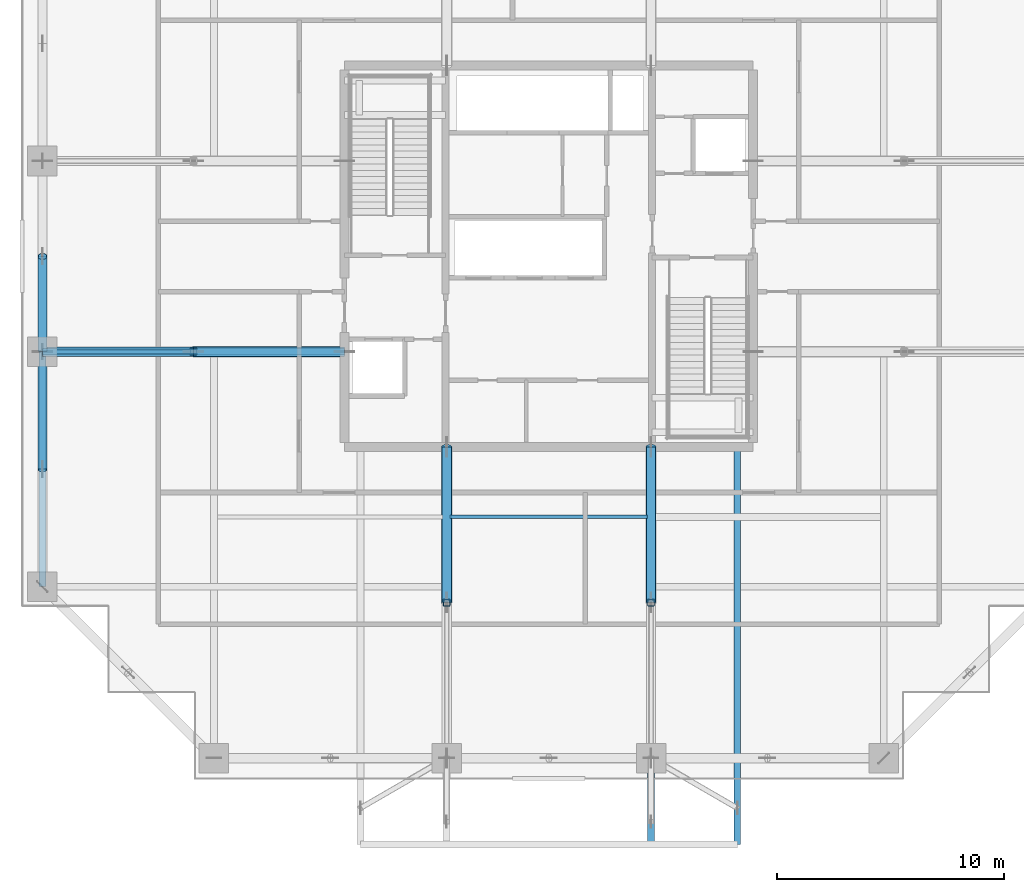
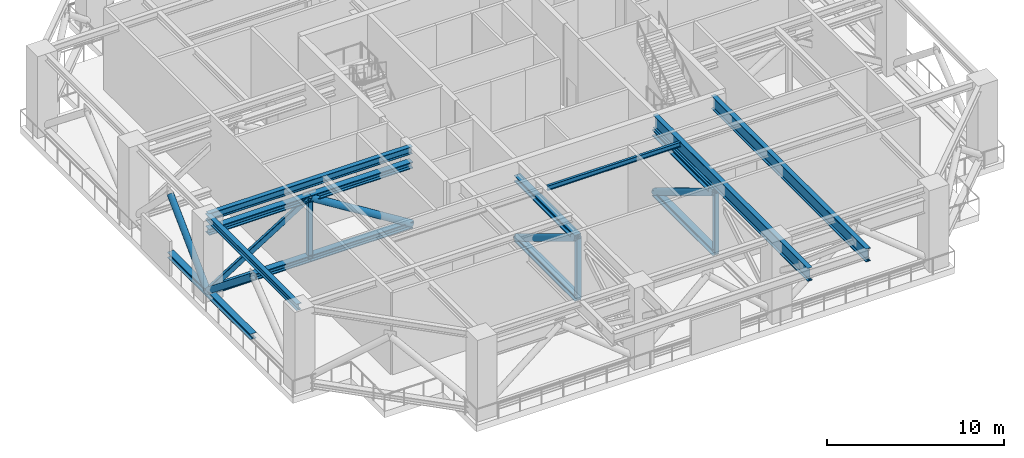
# One storey, part 2 of 22: 19 members, 5 beams.
"""IFC4 building model written with IfcOpenShell, lengths in metres."""

from ifc_helpers import new_model, si_unit, direction, frame, origin, origin_2d, place, context, subcontext, project, spatial, hollow_rectangle, hollow_circle, i_section, extrude, source, transform, mapped, material, material_profile, profile_set, type_object, element, save


model = new_model("IFC4")

# Units and contexts
model_context = context("Model", 3, precision=1e-05, world=origin(), true_north=direction((0.0, 1.0)))
body_context = subcontext(model_context, "Body", "Model", "MODEL_VIEW")
ifc_project = project(units=[si_unit("LENGTHUNIT", "METRE"), si_unit("AREAUNIT", "SQUARE_METRE"), si_unit("VOLUMEUNIT", "CUBIC_METRE"), si_unit("PLANEANGLEUNIT", "RADIAN"), si_unit("MASSUNIT", "GRAM", prefix="KILO")], contexts=[model_context])

# Site, building, storey
site_placement = place(None, origin())
site = spatial("IfcSite", under=ifc_project, at=site_placement, CompositionType="ELEMENT")
building_placement = place(site_placement, origin())
building = spatial("IfcBuilding", under=site, at=building_placement, Name="Serunith Strait Residences", CompositionType="ELEMENT")
storey_placement = place(building_placement, frame((0.0, 0.0, 198.89990234375)))
storey = spatial("IfcBuildingStorey", under=building, at=storey_placement, Name="L50", CompositionType="ELEMENT", Elevation=198.89990234375)

# Beams
ifc_material_1 = material(Name="Steel S355J2", Category="steel")
ifc_material_profile_1 = material_profile(ifc_material_1, i_section(OverallWidth=0.159912109375, OverallDepth=0.330078125, WebThickness=0.007568359375, FlangeThickness=0.011474609375, FilletRadius=0.01806640625, at=origin_2d()), Name="IPE 330")
ifc_profile_set_1 = profile_set([ifc_material_profile_1], Name="Steel S355J2")
beam_type_1 = type_object("IfcBeamType", Name="BM-IPE330", PredefinedType="JOIST", material=ifc_profile_set_1)
shared_shape_1 = source(origin(), body_context, "Body", "SweptSolid", [
    extrude(i_section(OverallWidth=0.159912109375, OverallDepth=0.330078125, WebThickness=0.007568359375, FlangeThickness=0.011474609375, FilletRadius=0.01806640625, at=origin_2d()), origin(), (0.0, 0.0, 1.0), 8.699951171875),
])
beam_1_placement = place(storey_placement, frame((28.050048828125, 13.72509765625, 5.47216796875), z_axis=(1.0, 0.0, 0.0), x_axis=(0.0, 1.0, 0.0)))
element("IfcBeam", 1, at=beam_1_placement, inside=storey, type_object=beam_type_1, Name="L50 Composite Floor Joist 02", PredefinedType="JOIST", context=body_context, shape_type="MappedRepresentation", body=[
    mapped(shared_shape_1, transform((0.0, 0.0, 0.0), scale=1.0)),
])
ifc_material_profile_2 = material_profile(ifc_material_1, i_section(OverallWidth=0.300048828125, OverallDepth=0.5, WebThickness=0.014404296875, FlangeThickness=0.028076171875, FilletRadius=0.027099609375, at=origin_2d()), Name="HEB 500")
ifc_profile_set_2 = profile_set([ifc_material_profile_2], Name="Steel S355J2")
beam_type_2 = type_object("IfcBeamType", Name="BM-HEB500", PredefinedType="BEAM", material=ifc_profile_set_2)
shared_shape_2 = source(origin(), body_context, "Body", "SweptSolid", [
    extrude(i_section(OverallWidth=0.300048828125, OverallDepth=0.5, WebThickness=0.014404296875, FlangeThickness=0.028076171875, FilletRadius=0.027099609375, at=origin_2d()), origin(), (0.0, 0.0, 1.0), 13.2998046875),
])
beam_2_placement = place(storey_placement, frame((23.39990234375, 21.0, 5.38720703125), z_axis=(-1.0, 0.0, 0.0), x_axis=(0.0, -1.0, 0.0)))
element("IfcBeam", 2, at=beam_2_placement, inside=storey, type_object=beam_type_2, Name="L50 Primary Floor Girder TC-W2", PredefinedType="BEAM", context=body_context, shape_type="MappedRepresentation", body=[
    mapped(shared_shape_2, transform((0.0, 0.0, 0.0), scale=1.0)),
])
ifc_material_profile_3 = material_profile(ifc_material_1, i_section(OverallWidth=0.300048828125, OverallDepth=0.449951171875, WebThickness=0.013916015625, FlangeThickness=0.02587890625, FilletRadius=0.027099609375, at=origin_2d()), Name="HEB 450")
ifc_profile_set_3 = profile_set([ifc_material_profile_3], Name="Steel S355J2")
beam_type_3 = type_object("IfcBeamType", Name="BM-HEB450", PredefinedType="BEAM", material=ifc_profile_set_3)
shared_shape_3 = source(origin(), body_context, "Body", "SweptSolid", [
    extrude(i_section(OverallWidth=0.300048828125, OverallDepth=0.449951171875, WebThickness=0.013916015625, FlangeThickness=0.02587890625, FilletRadius=0.027099609375, at=origin_2d()), origin(), (0.0, 0.0, 1.0), 10.35009765625),
])
beam_3_placement = place(storey_placement, frame((10.10009765625, 21.0, 5.412109375), z_axis=(0.0, -1.0, 0.0), x_axis=(1.0, 0.0, 0.0)))
element("IfcBeam", 3, at=beam_3_placement, inside=storey, type_object=beam_type_3, Name="L50 Perimeter Ring Beam 15", PredefinedType="BEAM", context=body_context, shape_type="MappedRepresentation", body=[
    mapped(shared_shape_3, transform((0.0, 0.0, 0.0), scale=1.0)),
])

# Members
ifc_material_2 = material(Name="Steel S460M", Category="steel")
ifc_material_profile_4 = material_profile(ifc_material_2, i_section(OverallWidth=0.412109375, OverallDepth=0.43505859375, WebThickness=0.035888671875, FlangeThickness=0.057373046875, FilletRadius=0.014892578125, at=origin_2d()), Name="HD 400x463")
ifc_profile_set_4 = profile_set([ifc_material_profile_4], Name="Steel S460M")
member_type_1 = type_object("IfcMemberType", Name="MBR-CHORD-HD463", PredefinedType="CHORD", material=ifc_profile_set_4)
shared_shape_4 = source(origin(), body_context, "Body", "SweptSolid", [
    extrude(i_section(OverallWidth=0.412109375, OverallDepth=0.43505859375, WebThickness=0.035888671875, FlangeThickness=0.057373046875, FilletRadius=0.014892578125, at=origin_2d()), origin(), (0.0, 0.0, 1.0), 6.85009765625),
])
for number, where, z_axis, x_axis, name in (
    (4, (27.89990234375, 16.800048828125, 0.25), (0.0, -1.0, 0.0), (1.0, 0.0, 0.0), "L50 Outrigger Arm 1 Bottom Chord 1"),
    (5, (27.89990234375, 16.800048828125, 4.39013671875), (0.0, -1.0, 0.0), (1.0, 0.0, 0.0), "L50 Outrigger Arm 1 Top Chord 1"),
    (6, (36.89990234375, 16.800048828125, 0.25), (0.0, -1.0, 0.0), (1.0, 0.0, 0.0), "L50 Outrigger Arm 2 Bottom Chord 1"),
    (7, (36.89990234375, 16.800048828125, 4.39013671875), (0.0, -1.0, 0.0), (1.0, 0.0, 0.0), "L50 Outrigger Arm 2 Top Chord 1"),
):
    element("IfcMember", number, at=place(storey_placement, frame(where, z_axis=z_axis, x_axis=x_axis)), inside=storey, type_object=member_type_1, Name=name, PredefinedType="CHORD", context=body_context, shape_type="MappedRepresentation", body=[
        mapped(shared_shape_4, transform((0.0, 0.0, 0.0), scale=1.0)),
    ])
ifc_material_profile_5 = material_profile(ifc_material_2, hollow_rectangle(XDim=0.300048828125, YDim=0.300048828125, WallThickness=0.012451171875, InnerFilletRadius=0.018798828125, OuterFilletRadius=0.03125, at=origin_2d()), Name="SHS 300x300x12.5")
ifc_profile_set_5 = profile_set([ifc_material_profile_5], Name="Steel S460M")
member_type_2 = type_object("IfcMemberType", Name="MBR-STRUT-SHS300", PredefinedType="STRUT", material=ifc_profile_set_5)
shared_shape_5 = source(origin(), body_context, "Body", "SweptSolid", [
    extrude(hollow_rectangle(XDim=0.300048828125, YDim=0.300048828125, WallThickness=0.012451171875, InnerFilletRadius=0.018798828125, OuterFilletRadius=0.03125, at=origin_2d()), origin(), (0.0, 0.0, 1.0), 4.14013671875),
])
for number, where, z_axis, x_axis, name in (
    (8, (27.89990234375, 9.949951171875, 0.25), (0.0, 0.0, 1.0), (1.0, 0.0, 0.0), "L50 Outrigger Arm 1 Mid Post"),
    (9, (36.89990234375, 9.949951171875, 0.25), (0.0, 0.0, 1.0), (1.0, 0.0, 0.0), "L50 Outrigger Arm 2 Mid Post"),
    (10, (16.75, 21.0, 0.25), (0.0, 0.0, 1.0), (1.0, 0.0, 0.0), "L50 Outrigger Arm 7 Mid Post"),
):
    element("IfcMember", number, at=place(storey_placement, frame(where, z_axis=z_axis, x_axis=x_axis)), inside=storey, type_object=member_type_2, Name=name, PredefinedType="STRUT", context=body_context, shape_type="MappedRepresentation", body=[
        mapped(shared_shape_5, transform((0.0, 0.0, 0.0), scale=1.0)),
    ])
ifc_material_profile_6 = material_profile(ifc_material_2, hollow_circle(Radius=0.228515625, WallThickness=0.01611328125, at=origin_2d()), Name="CHS 457x16")
ifc_profile_set_6 = profile_set([ifc_material_profile_6], Name="Steel S460M")
member_type_3 = type_object("IfcMemberType", Name="MBR-DIAG-CHS457", PredefinedType="BRACE", material=ifc_profile_set_6)
shared_shape_6 = source(origin(), body_context, "Body", "SweptSolid", [
    extrude(hollow_circle(Radius=0.228515625, WallThickness=0.01611328125, at=origin_2d()), origin(), (0.0, 0.0, 1.0), 8.004150390625),
])
for number, where, z_axis, x_axis, name in (
    (11, (27.89990234375, 16.800048828125, 0.25), (0.0, -0.855830589787, 0.517256224307), (1.0, 0.0, 0.0), "L50 Outrigger Arm 1 Inner Diagonal"),
    (12, (36.89990234375, 16.800048828125, 0.25), (0.0, -0.855830589787, 0.517256224307), (1.0, 0.0, 0.0), "L50 Outrigger Arm 2 Inner Diagonal"),
):
    element("IfcMember", number, at=place(storey_placement, frame(where, z_axis=z_axis, x_axis=x_axis)), inside=storey, type_object=member_type_3, Name=name, PredefinedType="BRACE", context=body_context, shape_type="MappedRepresentation", body=[
        mapped(shared_shape_6, transform((0.0, 0.0, 0.0), scale=1.0)),
    ])
shared_shape_7 = source(origin(), body_context, "Body", "SweptSolid", [
    extrude(i_section(OverallWidth=0.412109375, OverallDepth=0.43505859375, WebThickness=0.035888671875, FlangeThickness=0.057373046875, FilletRadius=0.014892578125, at=origin_2d()), origin(), (0.0, 0.0, 1.0), 6.64990234375),
])
for number, where, z_axis, x_axis, name in (
    (13, (23.39990234375, 21.0, 0.25), (-1.0, 0.0, 0.0), (0.0, -1.0, 0.0), "L50 Outrigger Arm 7 Bottom Chord 1"),
    (14, (23.39990234375, 21.0, 4.39013671875), (-1.0, 0.0, 0.0), (0.0, -1.0, 0.0), "L50 Outrigger Arm 7 Top Chord 1"),
    (15, (16.75, 21.0, 0.25), (-1.0, 0.0, 0.0), (0.0, -1.0, 0.0), "L50 Outrigger Arm 7 Bottom Chord 2"),
    (16, (16.75, 21.0, 4.39013671875), (-1.0, 0.0, 0.0), (0.0, -1.0, 0.0), "L50 Outrigger Arm 7 Top Chord 2"),
):
    element("IfcMember", number, at=place(storey_placement, frame(where, z_axis=z_axis, x_axis=x_axis)), inside=storey, type_object=member_type_1, Name=name, PredefinedType="CHORD", context=body_context, shape_type="MappedRepresentation", body=[
        mapped(shared_shape_7, transform((0.0, 0.0, 0.0), scale=1.0)),
    ])
shared_shape_8 = source(origin(), body_context, "Body", "SweptSolid", [
    extrude(hollow_circle(Radius=0.228515625, WallThickness=0.01611328125, at=origin_2d()), origin(), (0.0, 0.0, 1.0), 7.83349609375),
])
member_1_placement = place(storey_placement, frame((23.39990234375, 21.0, 0.25), z_axis=(-0.848918016547, 0.0, 0.528524551164), x_axis=(0.0, -1.0, 0.0)))
element("IfcMember", 17, at=member_1_placement, inside=storey, type_object=member_type_3, Name="L50 Outrigger Arm 7 Inner Diagonal", PredefinedType="BRACE", context=body_context, shape_type="MappedRepresentation", body=[
    mapped(shared_shape_8, transform((0.0, 0.0, 0.0), scale=1.0)),
])
ifc_material_profile_7 = material_profile(ifc_material_2, hollow_rectangle(XDim=0.199951171875, YDim=0.39990234375, WallThickness=0.01611328125, InnerFilletRadius=0.02392578125, OuterFilletRadius=0.0400390625, at=origin_2d()), Name="RHS 400x200x16")
ifc_profile_set_7 = profile_set([ifc_material_profile_7], Name="Steel S460M")
member_type_4 = type_object("IfcMemberType", Name="MBR-BRACE-RHS400", PredefinedType="BRACE", material=ifc_profile_set_7)
shared_shape_9 = source(origin(), body_context, "Body", "SweptSolid", [
    extrude(hollow_rectangle(XDim=0.199951171875, YDim=0.39990234375, WallThickness=0.01611328125, InnerFilletRadius=0.02392578125, OuterFilletRadius=0.0400390625, at=origin_2d()), origin(), (0.0, 0.0, 1.0), 7.83349609375),
])
member_2_placement = place(storey_placement, frame((16.75, 21.0, 4.39013671875), z_axis=(-0.848918016547, 0.0, -0.528524551164), x_axis=(0.0, -1.0, 0.0)))
element("IfcMember", 18, at=member_2_placement, inside=storey, type_object=member_type_4, Name="L50 Outrigger Arm 7 Outer Diagonal", PredefinedType="BRACE", context=body_context, shape_type="MappedRepresentation", body=[
    mapped(shared_shape_9, transform((0.0, 0.0, 0.0), scale=1.0)),
])
ifc_material_profile_8 = material_profile(ifc_material_2, i_section(OverallWidth=0.40087890625, OverallDepth=0.39892578125, WebThickness=0.02490234375, FlangeThickness=0.03955078125, FilletRadius=0.014892578125, at=origin_2d()), Name="HD 400x314")
ifc_profile_set_8 = profile_set([ifc_material_profile_8], Name="Steel S460M")
member_type_5 = type_object("IfcMemberType", Name="MBR-CHORD-HD314", PredefinedType="CHORD", material=ifc_profile_set_8)
shared_shape_10 = source(origin(), body_context, "Body", "SweptSolid", [
    extrude(i_section(OverallWidth=0.40087890625, OverallDepth=0.39892578125, WebThickness=0.02490234375, FlangeThickness=0.03955078125, FilletRadius=0.014892578125, at=origin_2d()), origin(), (0.0, 0.0, 1.0), 5.175048828125),
])
member_3_placement = place(storey_placement, frame((10.10009765625, 21.0, 0.25), z_axis=(0.0, -1.0, 0.0), x_axis=(1.0, 0.0, 0.0)))
element("IfcMember", 19, at=member_3_placement, inside=storey, type_object=member_type_5, Name="L50 Belt Truss Bay 15 Chord A", PredefinedType="CHORD", context=body_context, shape_type="MappedRepresentation", body=[
    mapped(shared_shape_10, transform((0.0, 0.0, 0.0), scale=1.0)),
])
ifc_material_profile_9 = material_profile(ifc_material_2, hollow_circle(Radius=0.203125, WallThickness=0.01611328125, at=origin_2d()), Name="CHS 406.4x16")
ifc_profile_set_9 = profile_set([ifc_material_profile_9], Name="Steel S460M")
member_type_6 = type_object("IfcMemberType", Name="MBR-DIAG-CHS406", PredefinedType="BRACE", material=ifc_profile_set_9)
shared_shape_11 = source(origin(), body_context, "Body", "SweptSolid", [
    extrude(hollow_circle(Radius=0.203125, WallThickness=0.01611328125, at=origin_2d()), origin(), (0.0, 0.0, 1.0), 6.62744140625),
])
member_4_placement = place(storey_placement, frame((10.10009765625, 21.0, 0.25), z_axis=(0.0, -0.780861621429, 0.624704032466), x_axis=(1.0, 0.0, 0.0)))
element("IfcMember", 20, at=member_4_placement, inside=storey, type_object=member_type_6, Name="L50 Belt Truss Bay 15 Diagonal 1", PredefinedType="BRACE", context=body_context, shape_type="MappedRepresentation", body=[
    mapped(shared_shape_11, transform((0.0, 0.0, 0.0), scale=1.0)),
])
shared_shape_12 = source(origin(), body_context, "Body", "SweptSolid", [
    extrude(i_section(OverallWidth=0.40087890625, OverallDepth=0.39892578125, WebThickness=0.02490234375, FlangeThickness=0.03955078125, FilletRadius=0.014892578125, at=origin_2d()), origin(), (0.0, 0.0, 1.0), 4.199951171875),
])
member_5_placement = place(storey_placement, frame((10.10009765625, 25.199951171875, 0.25), z_axis=(0.0, -1.0, 0.0), x_axis=(1.0, 0.0, 0.0)))
element("IfcMember", 21, at=member_5_placement, inside=storey, type_object=member_type_5, Name="L50 Belt Truss Bay 14 Chord B", PredefinedType="CHORD", context=body_context, shape_type="MappedRepresentation", body=[
    mapped(shared_shape_12, transform((0.0, 0.0, 0.0), scale=1.0)),
])
shared_shape_13 = source(origin(), body_context, "Body", "SweptSolid", [
    extrude(hollow_circle(Radius=0.203125, WallThickness=0.01611328125, at=origin_2d()), origin(), (0.0, 0.0, 1.0), 5.8974609375),
])
member_6_placement = place(storey_placement, frame((10.10009765625, 21.0, 0.25), z_axis=(0.0, 0.712159780048, 0.702017412663), x_axis=(-1.0, 0.0, 0.0)))
element("IfcMember", 22, at=member_6_placement, inside=storey, type_object=member_type_6, Name="L50 Belt Truss Bay 14 Diagonal 2", PredefinedType="BRACE", context=body_context, shape_type="MappedRepresentation", body=[
    mapped(shared_shape_13, transform((0.0, 0.0, 0.0), scale=1.0)),
])

# Beams
ifc_material_profile_10 = material_profile(ifc_material_2, i_section(OverallWidth=0.302001953125, OverallDepth=0.909912109375, WebThickness=0.02099609375, FlangeThickness=0.0400390625, FilletRadius=0.027099609375, at=origin_2d()), Name="HEM 900")
ifc_profile_set_10 = profile_set([ifc_material_profile_10], Name="Steel S460M")
beam_type_4 = type_object("IfcBeamType", Name="BM-HEM900", PredefinedType="BEAM", material=ifc_profile_set_10)
shared_shape_14 = source(origin(), body_context, "Body", "SweptSolid", [
    extrude(i_section(OverallWidth=0.302001953125, OverallDepth=0.909912109375, WebThickness=0.02099609375, FlangeThickness=0.0400390625, FilletRadius=0.027099609375, at=origin_2d()), origin(), (0.0, 0.0, 1.0), 17.5),
])
for number, where, z_axis, x_axis, name in (
    (23, (36.89990234375, 16.800048828125, 5.162109375), (0.0, -1.0, 0.0), (1.0, 0.0, 0.0), "Sky Pool Truss 2 Overhanging Cantilever Girder"),
    (24, (40.699951171875, 16.800048828125, 5.162109375), (0.0, -1.0, 0.0), (1.0, 0.0, 0.0), "Sky Pool Truss 4 Overhanging Cantilever Girder"),
):
    element("IfcBeam", number, at=place(storey_placement, frame(where, z_axis=z_axis, x_axis=x_axis)), inside=storey, type_object=beam_type_4, Name=name, PredefinedType="BEAM", context=body_context, shape_type="MappedRepresentation", body=[
        mapped(shared_shape_14, transform((0.0, 0.0, 0.0), scale=1.0)),
    ])

save(model, "model.ifc")
